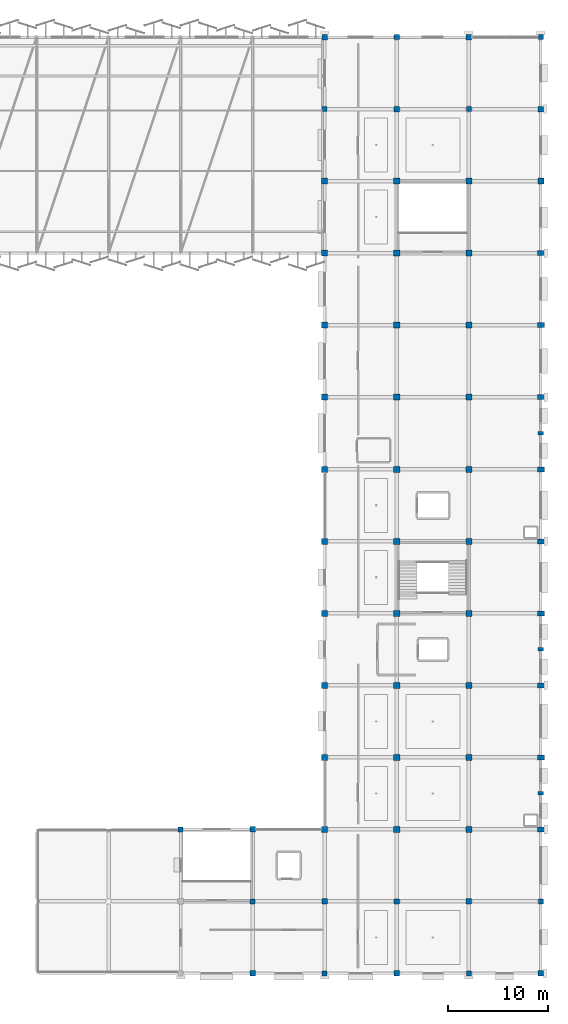
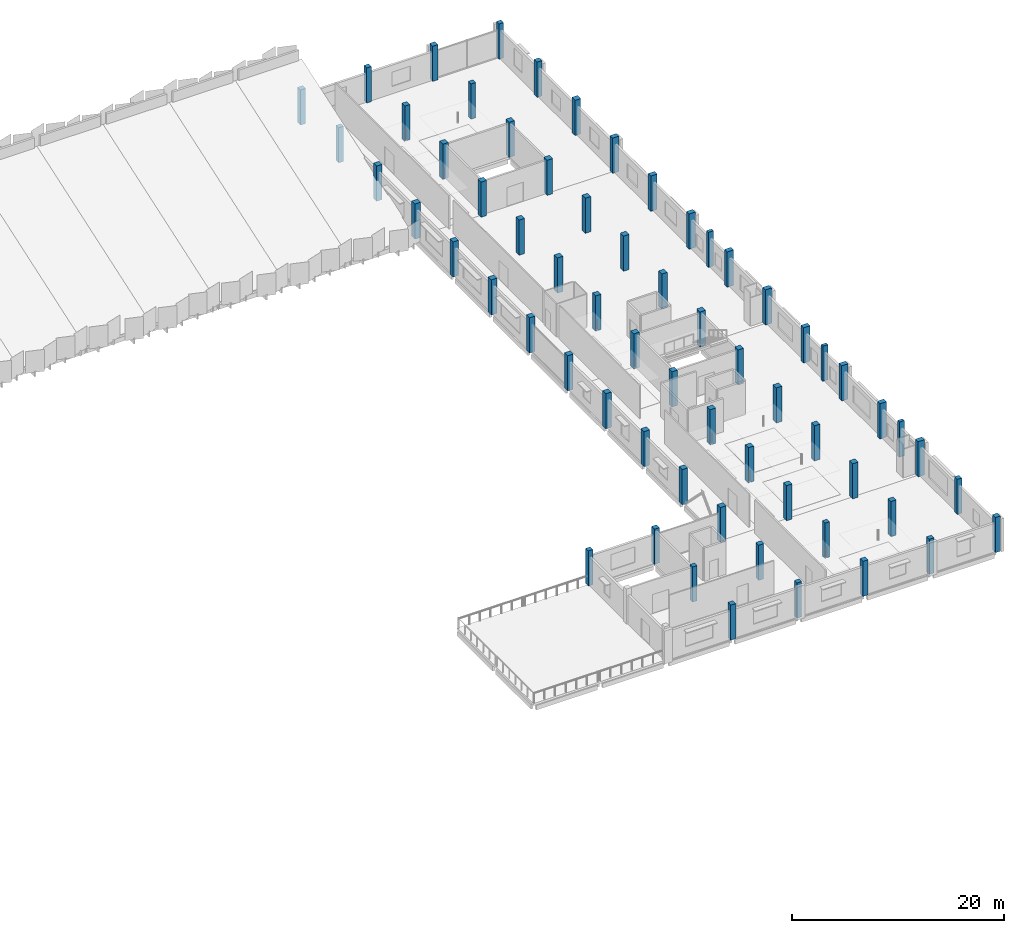
# One storey, part 2 of 59: 63 columns.
"""IFC4 building model written with IfcOpenShell, lengths in metres."""

from ifc_helpers import new_model, si_unit, direction, frame, origin, origin_2d, place, context, subcontext, project, spatial, rectangle, extrude, material, material_profile, profile_set, type_object, element, save


model = new_model("IFC4")

# Units and contexts
model_context = context("Model", 3, precision=1e-05, world=origin(), true_north=direction((0.0, 1.0)))
body_context = subcontext(model_context, "Body", "Model", "MODEL_VIEW")
ifc_project = project(units=[si_unit("LENGTHUNIT", "METRE"), si_unit("AREAUNIT", "SQUARE_METRE"), si_unit("VOLUMEUNIT", "CUBIC_METRE"), si_unit("PLANEANGLEUNIT", "RADIAN"), si_unit("MASSUNIT", "GRAM", prefix="KILO")], contexts=[model_context])

# Site, building, storey
site_placement = place(None, origin())
site = spatial("IfcSite", under=ifc_project, at=site_placement, CompositionType="ELEMENT")
building_placement = place(site_placement, origin())
building = spatial("IfcBuilding", under=site, at=building_placement, Name="Kangsadwip Square Police Headquarters", CompositionType="ELEMENT")
storey_placement = place(building_placement, frame((0.0, 0.0, 21.60009765625)))
storey = spatial("IfcBuildingStorey", under=building, at=storey_placement, Name="L05", CompositionType="ELEMENT", Elevation=21.60009765625)

# Columns
ifc_material_1 = material(Name="Concrete M35 (35 MPa)", Category="concrete")
ifc_material_profile_1 = material_profile(ifc_material_1, rectangle(XDim=0.5, YDim=0.5, at=origin_2d()), Name="RC COL 500X500")
ifc_profile_set_1 = profile_set([ifc_material_profile_1], Name="Concrete M35 (35 MPa)")
column_type_1 = type_object("IfcColumnType", Name="RcCol500x500", PredefinedType="COLUMN", material=ifc_profile_set_1)
for number, where, z_axis, x_axis, name in (
    (1, (129.60009765625, 36.0, 0.0), (0.0, 0.0, 1.0), (1.0, 0.0, 0.0), "Column COL-L05-18-05"),
    (2, (136.800048828125, 28.800048828125, 0.0), (0.0, 0.0, 1.0), (1.0, 0.0, 0.0), "Column COL-L05-19-04"),
    (3, (144.0, 21.60009765625, 0.0), (0.0, 0.0, 1.0), (1.0, 0.0, 0.0), "Column COL-L05-20-03"),
    (4, (144.0, 108.0, 0.0), (0.0, 0.0, 1.0), (1.0, 0.0, 0.0), "Column COL-L05-20-15"),
    (5, (151.199951171875, 28.800048828125, 0.0), (0.0, 0.0, 1.0), (1.0, 0.0, 0.0), "Column COL-L05-21-04"),
    (6, (151.199951171875, 115.199951171875, 0.0), (0.0, 0.0, 1.0), (1.0, 0.0, 0.0), "Column COL-L05-21-16"),
    (7, (158.39990234375, 21.60009765625, 0.0), (0.0, 0.0, 1.0), (1.0, 0.0, 0.0), "Column COL-L05-22-03"),
    (8, (158.39990234375, 108.0, 0.0), (0.0, 0.0, 1.0), (1.0, 0.0, 0.0), "Column COL-L05-22-15"),
    (9, (165.60009765625, 28.800048828125, 0.0), (0.0, 0.0, 1.0), (1.0, 0.0, 0.0), "Column COL-L05-23-04"),
    (10, (165.60009765625, 115.199951171875, 0.0), (0.0, 0.0, 1.0), (1.0, 0.0, 0.0), "Column COL-L05-23-16"),
):
    element("IfcColumn", number, at=place(storey_placement, frame(where, z_axis=z_axis, x_axis=x_axis)), inside=storey, type_object=column_type_1, Name=name, PredefinedType="COLUMN", context=body_context, shape_type="SweptSolid", body=[
        extrude(rectangle(XDim=0.5, YDim=0.5, at=origin_2d()), origin(), (0.0, 0.0, 1.0), 4.0498046875),
    ])
ifc_material_2 = material(Name="Concrete M35 (35 MPa)", Category="concrete")
ifc_material_profile_2 = material_profile(ifc_material_2, rectangle(XDim=0.550048828125, YDim=0.550048828125, at=origin_2d()), Name="RC COL 550X550")
ifc_profile_set_2 = profile_set([ifc_material_profile_2], Name="Concrete M35 (35 MPa)")
column_type_2 = type_object("IfcColumnType", Name="RcCol550x550", PredefinedType="COLUMN", material=ifc_profile_set_2)
for number, where, z_axis, x_axis, name in (
    (11, (136.800048828125, 21.60009765625, 0.0), (0.0, 0.0, 1.0), (1.0, 0.0, 0.0), "Column COL-L05-19-03"),
    (12, (136.800048828125, 36.0, 0.0), (0.0, 0.0, 1.0), (1.0, 0.0, 0.0), "Column COL-L05-19-05"),
    (13, (144.0, 28.800048828125, 0.0), (0.0, 0.0, 1.0), (1.0, 0.0, 0.0), "Column COL-L05-20-04"),
    (14, (144.0, 115.199951171875, 0.0), (0.0, 0.0, 1.0), (1.0, 0.0, 0.0), "Column COL-L05-20-16"),
    (15, (151.199951171875, 21.60009765625, 0.0), (0.0, 0.0, 1.0), (1.0, 0.0, 0.0), "Column COL-L05-21-03"),
    (16, (151.199951171875, 108.0, 0.0), (0.0, 0.0, 1.0), (1.0, 0.0, 0.0), "Column COL-L05-21-15"),
    (17, (158.39990234375, 28.800048828125, 0.0), (0.0, 0.0, 1.0), (1.0, 0.0, 0.0), "Column COL-L05-22-04"),
    (18, (158.39990234375, 115.199951171875, 0.0), (0.0, 0.0, 1.0), (1.0, 0.0, 0.0), "Column COL-L05-22-16"),
    (19, (165.60009765625, 21.60009765625, 0.0), (0.0, 0.0, 1.0), (1.0, 0.0, 0.0), "Column COL-L05-23-03"),
    (20, (165.60009765625, 108.0, 0.0), (0.0, 0.0, 1.0), (1.0, 0.0, 0.0), "Column COL-L05-23-15"),
):
    element("IfcColumn", number, at=place(storey_placement, frame(where, z_axis=z_axis, x_axis=x_axis)), inside=storey, type_object=column_type_2, Name=name, PredefinedType="COLUMN", context=body_context, shape_type="SweptSolid", body=[
        extrude(rectangle(XDim=0.550048828125, YDim=0.550048828125, at=origin_2d()), origin(), (0.0, 0.0, 1.0), 4.0498046875),
    ])
ifc_material_3 = material(Name="Concrete M35 (35 MPa)", Category="concrete")
ifc_material_profile_3 = material_profile(ifc_material_3, rectangle(XDim=0.60009765625, YDim=0.60009765625, at=origin_2d()), Name="RC COL 600X600")
ifc_profile_set_3 = profile_set([ifc_material_profile_3], Name="Concrete M35 (35 MPa)")
column_type_3 = type_object("IfcColumnType", Name="RcCol600x600", PredefinedType="COLUMN", material=ifc_profile_set_3)
for number, where, z_axis, x_axis, name in (
    (21, (144.0, 36.0, 0.0), (0.0, 0.0, 1.0), (1.0, 0.0, 0.0), "Column COL-L05-20-05"),
    (22, (144.0, 43.199951171875, 0.0), (0.0, 0.0, 1.0), (1.0, 0.0, 0.0), "Column COL-L05-20-06"),
    (23, (144.0, 50.39990234375, 0.0), (0.0, 0.0, 1.0), (1.0, 0.0, 0.0), "Column COL-L05-20-07"),
    (24, (144.0, 57.60009765625, 0.0), (0.0, 0.0, 1.0), (1.0, 0.0, 0.0), "Column COL-L05-20-08"),
    (25, (144.0, 64.800048828125, 0.0), (0.0, 0.0, 1.0), (1.0, 0.0, 0.0), "Column COL-L05-20-09"),
    (26, (144.0, 72.0, 0.0), (0.0, 0.0, 1.0), (1.0, 0.0, 0.0), "Column COL-L05-20-10"),
    (27, (144.0, 79.199951171875, 0.0), (0.0, 0.0, 1.0), (1.0, 0.0, 0.0), "Column COL-L05-20-11"),
    (28, (144.0, 86.39990234375, 0.0), (0.0, 0.0, 1.0), (1.0, 0.0, 0.0), "Column COL-L05-20-12"),
    (29, (144.0, 93.60009765625, 0.0), (0.0, 0.0, 1.0), (1.0, 0.0, 0.0), "Column COL-L05-20-13"),
    (30, (144.0, 100.800048828125, 0.0), (0.0, 0.0, 1.0), (1.0, 0.0, 0.0), "Column COL-L05-20-14"),
    (31, (151.199951171875, 36.0, 0.0), (0.0, 0.0, 1.0), (1.0, 0.0, 0.0), "Column COL-L05-21-05"),
    (32, (151.199951171875, 43.199951171875, 0.0), (0.0, 0.0, 1.0), (1.0, 0.0, 0.0), "Column COL-L05-21-06"),
    (33, (151.199951171875, 50.39990234375, 0.0), (0.0, 0.0, 1.0), (1.0, 0.0, 0.0), "Column COL-L05-21-07"),
    (34, (151.199951171875, 57.60009765625, 0.0), (0.0, 0.0, 1.0), (1.0, 0.0, 0.0), "Column COL-L05-21-08"),
    (35, (151.199951171875, 64.800048828125, 0.0), (0.0, 0.0, 1.0), (1.0, 0.0, 0.0), "Column COL-L05-21-09"),
    (36, (151.199951171875, 72.0, 0.0), (0.0, 0.0, 1.0), (1.0, 0.0, 0.0), "Column COL-L05-21-10"),
    (37, (151.199951171875, 79.199951171875, 0.0), (0.0, 0.0, 1.0), (1.0, 0.0, 0.0), "Column COL-L05-21-11"),
    (38, (151.199951171875, 86.39990234375, 0.0), (0.0, 0.0, 1.0), (1.0, 0.0, 0.0), "Column COL-L05-21-12"),
    (39, (151.199951171875, 93.60009765625, 0.0), (0.0, 0.0, 1.0), (1.0, 0.0, 0.0), "Column COL-L05-21-13"),
    (40, (151.199951171875, 100.800048828125, 0.0), (0.0, 0.0, 1.0), (1.0, 0.0, 0.0), "Column COL-L05-21-14"),
    (41, (158.39990234375, 36.0, 0.0), (0.0, 0.0, 1.0), (1.0, 0.0, 0.0), "Column COL-L05-22-05"),
    (42, (158.39990234375, 43.199951171875, 0.0), (0.0, 0.0, 1.0), (1.0, 0.0, 0.0), "Column COL-L05-22-06"),
    (43, (158.39990234375, 50.39990234375, 0.0), (0.0, 0.0, 1.0), (1.0, 0.0, 0.0), "Column COL-L05-22-07"),
    (44, (158.39990234375, 57.60009765625, 0.0), (0.0, 0.0, 1.0), (1.0, 0.0, 0.0), "Column COL-L05-22-08"),
    (45, (158.39990234375, 64.800048828125, 0.0), (0.0, 0.0, 1.0), (1.0, 0.0, 0.0), "Column COL-L05-22-09"),
    (46, (158.39990234375, 72.0, 0.0), (0.0, 0.0, 1.0), (1.0, 0.0, 0.0), "Column COL-L05-22-10"),
    (47, (158.39990234375, 79.199951171875, 0.0), (0.0, 0.0, 1.0), (1.0, 0.0, 0.0), "Column COL-L05-22-11"),
    (48, (158.39990234375, 86.39990234375, 0.0), (0.0, 0.0, 1.0), (1.0, 0.0, 0.0), "Column COL-L05-22-12"),
    (49, (158.39990234375, 93.60009765625, 0.0), (0.0, 0.0, 1.0), (1.0, 0.0, 0.0), "Column COL-L05-22-13"),
    (50, (158.39990234375, 100.800048828125, 0.0), (0.0, 0.0, 1.0), (1.0, 0.0, 0.0), "Column COL-L05-22-14"),
    (51, (165.60009765625, 100.800048828125, 0.0), (0.0, 0.0, 1.0), (1.0, 0.0, 0.0), "Column COL-L05-23-14"),
):
    element("IfcColumn", number, at=place(storey_placement, frame(where, z_axis=z_axis, x_axis=x_axis)), inside=storey, type_object=column_type_3, Name=name, PredefinedType="COLUMN", context=body_context, shape_type="SweptSolid", body=[
        extrude(rectangle(XDim=0.60009765625, YDim=0.60009765625, at=origin_2d()), origin(), (0.0, 0.0, 1.0), 4.0498046875),
    ])
ifc_material_4 = material(Name="Concrete M35 (35 MPa)", Category="concrete")
ifc_material_profile_4 = material_profile(ifc_material_4, rectangle(XDim=0.5, YDim=0.699951171875, at=origin_2d()), Name="RC COL 700X500")
ifc_profile_set_4 = profile_set([ifc_material_profile_4], Name="Concrete M35 (35 MPa)")
column_type_4 = type_object("IfcColumnType", Name="RcCol700x500", PredefinedType="COLUMN", material=ifc_profile_set_4)
for number, where, z_axis, x_axis, name in (
    (52, (165.60009765625, 36.0, 0.0), (0.0, 0.0, 1.0), (0.0, 1.0, 0.0), "Column COL-L05-23-05"),
    (53, (165.60009765625, 43.199951171875, 0.0), (0.0, 0.0, 1.0), (0.0, 1.0, 0.0), "Column COL-L05-23-06"),
    (54, (165.60009765625, 50.39990234375, 0.0), (0.0, 0.0, 1.0), (0.0, 1.0, 0.0), "Column COL-L05-23-07"),
    (55, (165.60009765625, 57.60009765625, 0.0), (0.0, 0.0, 1.0), (0.0, 1.0, 0.0), "Column COL-L05-23-08"),
    (56, (165.60009765625, 64.800048828125, 0.0), (0.0, 0.0, 1.0), (0.0, 1.0, 0.0), "Column COL-L05-23-09"),
    (57, (165.60009765625, 72.0, 0.0), (0.0, 0.0, 1.0), (0.0, 1.0, 0.0), "Column COL-L05-23-10"),
    (58, (165.60009765625, 79.199951171875, 0.0), (0.0, 0.0, 1.0), (0.0, 1.0, 0.0), "Column COL-L05-23-11"),
    (59, (165.60009765625, 86.39990234375, 0.0), (0.0, 0.0, 1.0), (0.0, 1.0, 0.0), "Column COL-L05-23-12"),
    (60, (165.60009765625, 93.60009765625, 0.0), (0.0, 0.0, 1.0), (0.0, 1.0, 0.0), "Column COL-L05-23-13"),
):
    element("IfcColumn", number, at=place(storey_placement, frame(where, z_axis=z_axis, x_axis=x_axis)), inside=storey, type_object=column_type_4, Name=name, PredefinedType="COLUMN", context=body_context, shape_type="SweptSolid", body=[
        extrude(rectangle(XDim=0.5, YDim=0.699951171875, at=origin_2d()), origin(), (0.0, 0.0, 1.0), 4.0498046875),
    ])
ifc_material_5 = material(Name="Concrete M35 (35 MPa)", Category="concrete")
ifc_material_profile_5 = material_profile(ifc_material_5, rectangle(XDim=0.35009765625, YDim=0.550048828125, at=origin_2d()), Name="RC PIL 550X350")
ifc_profile_set_5 = profile_set([ifc_material_profile_5], Name="Concrete M35 (35 MPa)")
column_type_5 = type_object("IfcColumnType", Name="RcPil550x350", PredefinedType="PILASTER", material=ifc_profile_set_5)
for number, where, z_axis, x_axis, name in (
    (61, (165.60009765625, 39.60009765625, 0.0), (0.0, 0.0, 1.0), (0.0, 1.0, 0.0), "Colonnade Pilaster PIL-L05-034"),
    (62, (165.60009765625, 54.0, 0.0), (0.0, 0.0, 1.0), (0.0, 1.0, 0.0), "Colonnade Pilaster PIL-L05-042"),
    (63, (165.60009765625, 75.60009765625, 0.0), (0.0, 0.0, 1.0), (0.0, 1.0, 0.0), "Colonnade Pilaster PIL-L05-050"),
):
    element("IfcColumn", number, at=place(storey_placement, frame(where, z_axis=z_axis, x_axis=x_axis)), inside=storey, type_object=column_type_5, Name=name, PredefinedType="PILASTER", context=body_context, shape_type="SweptSolid", body=[
        extrude(rectangle(XDim=0.35009765625, YDim=0.550048828125, at=origin_2d()), origin(), (0.0, 0.0, 1.0), 4.0498046875),
    ])

save(model, "model.ifc")
